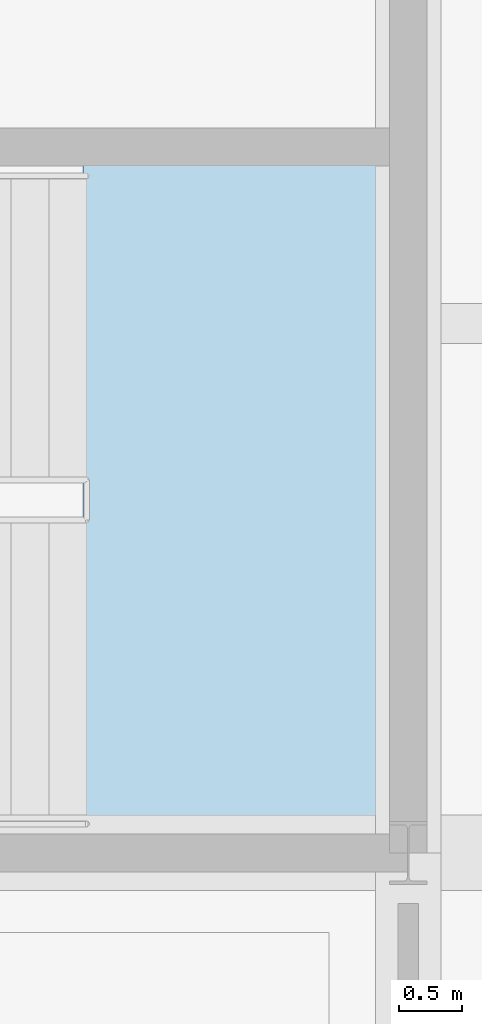
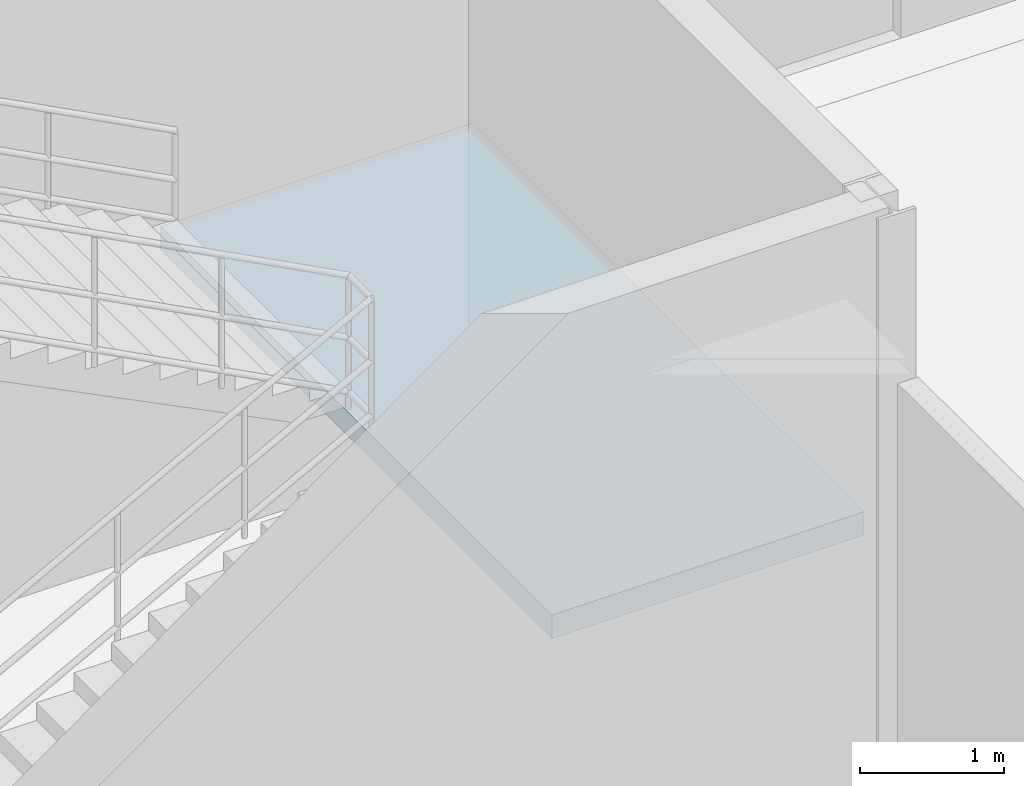
# One storey, part 81 of 124: 1 slab, 1 element without a shape of its own.
"""IFC4 building model written with IfcOpenShell, lengths in metres."""

from ifc_helpers import new_model, si_unit, direction, frame, origin, place, context, subcontext, project, spatial, polyline, outline, extrude, material, layer, layer_set, type_object, element, aggregate, save


model = new_model("IFC4")

# Units and contexts
model_context = context("Model", 3, precision=1e-05, world=origin(), true_north=direction((0.0, 1.0)))
body_context = subcontext(model_context, "Body", "Model", "MODEL_VIEW")
ifc_project = project(units=[si_unit("LENGTHUNIT", "METRE"), si_unit("AREAUNIT", "SQUARE_METRE"), si_unit("VOLUMEUNIT", "CUBIC_METRE"), si_unit("PLANEANGLEUNIT", "RADIAN"), si_unit("MASSUNIT", "GRAM", prefix="KILO")], contexts=[model_context])

# Site, building, storey
site_placement = place(None, origin())
site = spatial("IfcSite", under=ifc_project, at=site_placement, CompositionType="ELEMENT")
building_placement = place(site_placement, origin())
building = spatial("IfcBuilding", under=site, at=building_placement, Name="Brelvane Convention Centre", CompositionType="ELEMENT")
storey_placement = place(building_placement, origin())
storey = spatial("IfcBuildingStorey", under=building, at=storey_placement, Name="L00", CompositionType="ELEMENT", Elevation=0.0)

# Stair, slab
ifc_material_1 = material(Name="Concrete M40", Category="concrete")
stair_type = type_object("IfcStairType", Name="Exit Stair ST-CORE", PredefinedType="HALF_TURN_STAIR", material=ifc_material_1)
stair_placement = place(storey_placement, origin())
stair = element("IfcStair", 1, at=stair_placement, inside=storey, type_object=stair_type, Name="Exit Stair ST-11 (L00 to L01)", PredefinedType="HALF_TURN_STAIR")
ifc_material_2 = material(Name="Concrete M40", Category="concrete")
ifc_layer = layer(ifc_material_2, 0.199951171875)
ifc_layer_set = layer_set([ifc_layer], Name="Concrete M40")
slab_type = type_object("IfcSlabType", Name="Stair Landing SL-LND-200", PredefinedType="LANDING", material=ifc_layer_set)
slab_placement = place(storey_placement, frame((0.0, 0.0, 2.5)))
slab = element("IfcSlab", 2, at=slab_placement, type_object=slab_type, Name="Stair ST-11 L00 Half Landing", PredefinedType="LANDING", context=body_context, shape_type="SweptSolid", body=[
    extrude(outline(polyline([(170.820068359375, 135.679931640625), (173.320068359375, 135.679931640625), (173.320068359375, 141.1201171875), (170.820068359375, 141.1201171875), (170.820068359375, 135.679931640625)])), origin(), (0.0, 0.0, 1.0), 0.199951171875),
])
aggregate(stair, [slab])

save(model, "model.ifc")
